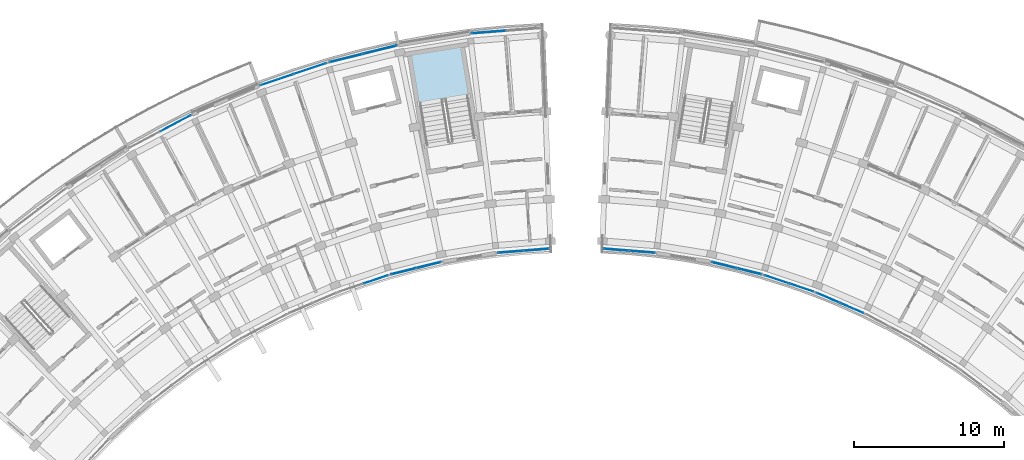
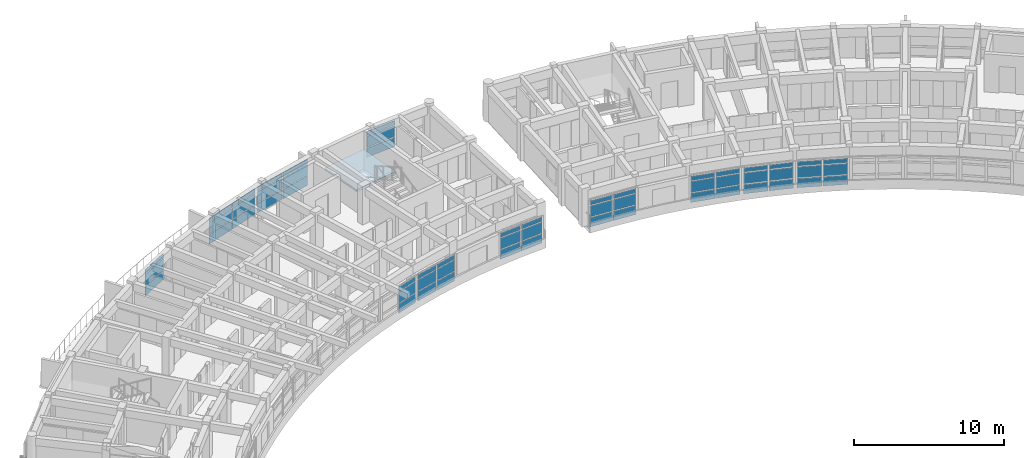
# One storey, part 24 of 50: 57 plates, 1 slab, 12 elements without a shape of their own.
"""IFC4 building model written with IfcOpenShell, lengths in metres."""

from ifc_helpers import new_model, si_unit, direction, frame, origin, origin_2d, place, context, subcontext, project, spatial, polyline, rectangle, outline, extrude, material, layer, layer_set, type_object, element, aggregate, save


model = new_model("IFC4")

# Units and contexts
model_context = context("Model", 3, precision=1e-05, world=origin(), true_north=direction((0.0, 1.0)))
body_context = subcontext(model_context, "Body", "Model", "MODEL_VIEW")
ifc_project = project(units=[si_unit("LENGTHUNIT", "METRE"), si_unit("AREAUNIT", "SQUARE_METRE"), si_unit("VOLUMEUNIT", "CUBIC_METRE"), si_unit("PLANEANGLEUNIT", "RADIAN"), si_unit("MASSUNIT", "GRAM", prefix="KILO")], contexts=[model_context])

# Site, building, storey
site_placement = place(None, origin())
site = spatial("IfcSite", under=ifc_project, at=site_placement, CompositionType="ELEMENT")
building_placement = place(site_placement, origin())
building = spatial("IfcBuilding", under=site, at=building_placement, Name="Zimvara Arc Housing Community", CompositionType="ELEMENT")
storey_placement = place(building_placement, frame((0.0, 0.0, 26.699951171875)))
storey = spatial("IfcBuildingStorey", under=building, at=storey_placement, Name="L08", CompositionType="ELEMENT", Elevation=26.699951171875)

# Curtain wall, plates
ifc_material_1 = material(Name="Anodised Aluminium AW-6063", Category="aluminium")
curtain_wall_type_1 = type_object("IfcCurtainWallType", Name="CW-SYS-08", PredefinedType="USERDEFINED", material=ifc_material_1)
curtain_wall_1_placement = place(storey_placement, origin())
curtain_wall_1 = element("IfcCurtainWall", 1, at=curtain_wall_1_placement, inside=storey, type_object=curtain_wall_type_1, Name="cw:blkA:L08:in:b7", ObjectType="CURTAIN WALL", PredefinedType="USERDEFINED")
ifc_material_2 = material(Name="Pale-Gold Anodised Aluminium Spandrel Panel", Category="aluminium")
ifc_layer_1 = layer(ifc_material_2, 0.035888671875)
ifc_layer_set_1 = layer_set([ifc_layer_1], Name="Pale-Gold Anodised Aluminium Spandrel Panel")
plate_type_1 = type_object("IfcPlateType", Name="CWP-GLD-36", PredefinedType="CURTAIN_PANEL", material=ifc_layer_set_1)
plate_1_placement = place(storey_placement, frame((33.45068359375, 87.569580078125, 0.065185546875), z_axis=(0.0, 0.0, 1.0), x_axis=(0.970716537698, 0.240227815706, 0.0)))
plate_1 = element("IfcPlate", 2, at=plate_1_placement, type_object=plate_type_1, Name="CW08 panel 1.1", PredefinedType="CURTAIN_PANEL", context=body_context, shape_type="SweptSolid", body=[
    extrude(rectangle(XDim=1.664306640625, YDim=0.035888671875, at=origin_2d()), origin(), (0.0, 0.0, 1.0), 0.75244140625),
])
plate_2_placement = place(storey_placement, frame((33.45068359375, 87.569580078125, 0.88232421875), z_axis=(0.0, 0.0, 1.0), x_axis=(0.970716537698, 0.240227815706, 0.0)))
plate_2 = element("IfcPlate", 3, at=plate_2_placement, type_object=plate_type_1, Name="CW08 panel 1.2", PredefinedType="CURTAIN_PANEL", context=body_context, shape_type="SweptSolid", body=[
    extrude(rectangle(XDim=1.664306640625, YDim=0.035888671875, at=origin_2d()), origin(), (0.0, 0.0, 1.0), 0.885009765625),
])
plate_3_placement = place(storey_placement, frame((33.45068359375, 87.569580078125, 1.83251953125), z_axis=(0.0, 0.0, 1.0), x_axis=(0.970716537698, 0.240227815706, 0.0)))
plate_3 = element("IfcPlate", 4, at=plate_3_placement, type_object=plate_type_1, Name="CW08 panel 1.3", PredefinedType="CURTAIN_PANEL", context=body_context, shape_type="SweptSolid", body=[
    extrude(rectangle(XDim=1.664306640625, YDim=0.035888671875, at=origin_2d()), origin(), (0.0, 0.0, 1.0), 0.3525390625),
])
plate_4_placement = place(storey_placement, frame((35.12939453125, 87.98486328125, 0.065185546875), z_axis=(0.0, 0.0, 1.0), x_axis=(0.970716537698, 0.240227815706, 0.0)))
plate_4 = element("IfcPlate", 5, at=plate_4_placement, type_object=plate_type_1, Name="CW08 panel 2.1", PredefinedType="CURTAIN_PANEL", context=body_context, shape_type="SweptSolid", body=[
    extrude(rectangle(XDim=1.664306640625, YDim=0.035888671875, at=origin_2d()), origin(), (0.0, 0.0, 1.0), 0.75244140625),
])
plate_5_placement = place(storey_placement, frame((35.12939453125, 87.98486328125, 0.88232421875), z_axis=(0.0, 0.0, 1.0), x_axis=(0.970716537698, 0.240227815706, 0.0)))
plate_5 = element("IfcPlate", 6, at=plate_5_placement, type_object=plate_type_1, Name="CW08 panel 2.2", PredefinedType="CURTAIN_PANEL", context=body_context, shape_type="SweptSolid", body=[
    extrude(rectangle(XDim=1.664306640625, YDim=0.035888671875, at=origin_2d()), origin(), (0.0, 0.0, 1.0), 0.885009765625),
])
plate_6_placement = place(storey_placement, frame((35.12939453125, 87.98486328125, 1.83251953125), z_axis=(0.0, 0.0, 1.0), x_axis=(0.970716537698, 0.240227815706, 0.0)))
plate_6 = element("IfcPlate", 7, at=plate_6_placement, type_object=plate_type_1, Name="CW08 panel 2.3", PredefinedType="CURTAIN_PANEL", context=body_context, shape_type="SweptSolid", body=[
    extrude(rectangle(XDim=1.664306640625, YDim=0.035888671875, at=origin_2d()), origin(), (0.0, 0.0, 1.0), 0.3525390625),
])
aggregate(curtain_wall_1, [plate_1, plate_2, plate_3, plate_4, plate_5, plate_6])

curtain_wall_2_placement = place(storey_placement, origin())
curtain_wall_2 = element("IfcCurtainWall", 8, at=curtain_wall_2_placement, inside=storey, type_object=curtain_wall_type_1, Name="cw:blkB:L08:in:b2", ObjectType="CURTAIN WALL", PredefinedType="USERDEFINED")
plate_7_placement = place(storey_placement, frame((54.87060546875, 87.98486328125, 0.065185546875), z_axis=(0.0, 0.0, 1.0), x_axis=(0.970716537698, -0.240227815706, 0.0)))
plate_7 = element("IfcPlate", 9, at=plate_7_placement, type_object=plate_type_1, Name="CW08 panel 1.1", PredefinedType="CURTAIN_PANEL", context=body_context, shape_type="SweptSolid", body=[
    extrude(rectangle(XDim=1.664306640625, YDim=0.035888671875, at=origin_2d()), origin(), (0.0, 0.0, 1.0), 0.75244140625),
])
plate_8_placement = place(storey_placement, frame((54.87060546875, 87.98486328125, 0.88232421875), z_axis=(0.0, 0.0, 1.0), x_axis=(0.970716537698, -0.240227815706, 0.0)))
plate_8 = element("IfcPlate", 10, at=plate_8_placement, type_object=plate_type_1, Name="CW08 panel 1.2", PredefinedType="CURTAIN_PANEL", context=body_context, shape_type="SweptSolid", body=[
    extrude(rectangle(XDim=1.664306640625, YDim=0.035888671875, at=origin_2d()), origin(), (0.0, 0.0, 1.0), 0.885009765625),
])
plate_9_placement = place(storey_placement, frame((54.87060546875, 87.98486328125, 1.83251953125), z_axis=(0.0, 0.0, 1.0), x_axis=(0.970716537698, -0.240227815706, 0.0)))
plate_9 = element("IfcPlate", 11, at=plate_9_placement, type_object=plate_type_1, Name="CW08 panel 1.3", PredefinedType="CURTAIN_PANEL", context=body_context, shape_type="SweptSolid", body=[
    extrude(rectangle(XDim=1.664306640625, YDim=0.035888671875, at=origin_2d()), origin(), (0.0, 0.0, 1.0), 0.3525390625),
])
plate_10_placement = place(storey_placement, frame((56.54931640625, 87.569580078125, 0.065185546875), z_axis=(0.0, 0.0, 1.0), x_axis=(0.970716537698, -0.240227815706, 0.0)))
plate_10 = element("IfcPlate", 12, at=plate_10_placement, type_object=plate_type_1, Name="CW08 panel 2.1", PredefinedType="CURTAIN_PANEL", context=body_context, shape_type="SweptSolid", body=[
    extrude(rectangle(XDim=1.664306640625, YDim=0.035888671875, at=origin_2d()), origin(), (0.0, 0.0, 1.0), 0.75244140625),
])
plate_11_placement = place(storey_placement, frame((56.54931640625, 87.569580078125, 0.88232421875), z_axis=(0.0, 0.0, 1.0), x_axis=(0.970716537698, -0.240227815706, 0.0)))
plate_11 = element("IfcPlate", 13, at=plate_11_placement, type_object=plate_type_1, Name="CW08 panel 2.2", PredefinedType="CURTAIN_PANEL", context=body_context, shape_type="SweptSolid", body=[
    extrude(rectangle(XDim=1.664306640625, YDim=0.035888671875, at=origin_2d()), origin(), (0.0, 0.0, 1.0), 0.885009765625),
])
plate_12_placement = place(storey_placement, frame((56.54931640625, 87.569580078125, 1.83251953125), z_axis=(0.0, 0.0, 1.0), x_axis=(0.970716537698, -0.240227815706, 0.0)))
plate_12 = element("IfcPlate", 14, at=plate_12_placement, type_object=plate_type_1, Name="CW08 panel 2.3", PredefinedType="CURTAIN_PANEL", context=body_context, shape_type="SweptSolid", body=[
    extrude(rectangle(XDim=1.664306640625, YDim=0.035888671875, at=origin_2d()), origin(), (0.0, 0.0, 1.0), 0.3525390625),
])
aggregate(curtain_wall_2, [plate_7, plate_8, plate_9, plate_10, plate_11, plate_12])

ifc_material_3 = material(Name="Anodised Aluminium AW-6063", Category="aluminium")
curtain_wall_type_2 = type_object("IfcCurtainWallType", Name="CW-SYS-05", PredefinedType="USERDEFINED", material=ifc_material_3)
curtain_wall_3_placement = place(storey_placement, origin())
curtain_wall_3 = element("IfcCurtainWall", 15, at=curtain_wall_3_placement, inside=storey, type_object=curtain_wall_type_2, Name="cw:blkA:L08:out:b6", ObjectType="CURTAIN WALL", PredefinedType="USERDEFINED")
ifc_material_4 = material(Name="Solar Control Low-E Double Glazing", Category="glass")
ifc_layer_2 = layer(ifc_material_4, 0.02392578125)
ifc_layer_set_2 = layer_set([ifc_layer_2], Name="Solar Control Low-E Double Glazing")
plate_type_2 = type_object("IfcPlateType", Name="CWP-GLZ-24", PredefinedType="CURTAIN_PANEL", material=ifc_layer_set_2)
plate_13_placement = place(storey_placement, frame((24.990478515625, 100.36669921875, 0.065185546875), z_axis=(0.0, 0.0, 1.0), x_axis=(0.947879647164, 0.318628583921, 0.0)))
plate_13 = element("IfcPlate", 16, at=plate_13_placement, type_object=plate_type_2, Name="CW05 panel 1.1", PredefinedType="CURTAIN_PANEL", context=body_context, shape_type="SweptSolid", body=[
    extrude(rectangle(XDim=2.266845703125, YDim=0.02392578125, at=origin_2d()), origin(), (0.0, 0.0, 1.0), 0.75244140625),
])
plate_14_placement = place(storey_placement, frame((24.990478515625, 100.36669921875, 0.88232421875), z_axis=(0.0, 0.0, 1.0), x_axis=(0.947879647164, 0.318628583921, 0.0)))
plate_14 = element("IfcPlate", 17, at=plate_14_placement, type_object=plate_type_2, Name="CW05 panel 1.2", PredefinedType="CURTAIN_PANEL", context=body_context, shape_type="SweptSolid", body=[
    extrude(rectangle(XDim=2.266845703125, YDim=0.02392578125, at=origin_2d()), origin(), (0.0, 0.0, 1.0), 0.885009765625),
])
plate_15_placement = place(storey_placement, frame((24.990478515625, 100.36669921875, 1.83251953125), z_axis=(0.0, 0.0, 1.0), x_axis=(0.947879647164, 0.318628583921, 0.0)))
plate_15 = element("IfcPlate", 18, at=plate_15_placement, type_object=plate_type_2, Name="CW05 panel 1.3", PredefinedType="CURTAIN_PANEL", context=body_context, shape_type="SweptSolid", body=[
    extrude(rectangle(XDim=2.266845703125, YDim=0.02392578125, at=origin_2d()), origin(), (0.0, 0.0, 1.0), 0.3525390625),
])
plate_16_placement = place(storey_placement, frame((27.200927734375, 101.109619140625, 0.065185546875), z_axis=(0.0, 0.0, 1.0), x_axis=(0.947879647164, 0.318628583921, 0.0)))
plate_16 = element("IfcPlate", 19, at=plate_16_placement, type_object=plate_type_2, Name="CW05 panel 2.1", PredefinedType="CURTAIN_PANEL", context=body_context, shape_type="SweptSolid", body=[
    extrude(rectangle(XDim=2.266845703125, YDim=0.02392578125, at=origin_2d()), origin(), (0.0, 0.0, 1.0), 0.75244140625),
])
plate_17_placement = place(storey_placement, frame((27.200927734375, 101.109619140625, 0.88232421875), z_axis=(0.0, 0.0, 1.0), x_axis=(0.947879647164, 0.318628583921, 0.0)))
plate_17 = element("IfcPlate", 20, at=plate_17_placement, type_object=plate_type_2, Name="CW05 panel 2.2", PredefinedType="CURTAIN_PANEL", context=body_context, shape_type="SweptSolid", body=[
    extrude(rectangle(XDim=2.266845703125, YDim=0.02392578125, at=origin_2d()), origin(), (0.0, 0.0, 1.0), 0.885009765625),
])
plate_18_placement = place(storey_placement, frame((27.200927734375, 101.109619140625, 1.83251953125), z_axis=(0.0, 0.0, 1.0), x_axis=(0.947879647164, 0.318628583921, 0.0)))
plate_18 = element("IfcPlate", 21, at=plate_18_placement, type_object=plate_type_2, Name="CW05 panel 2.3", PredefinedType="CURTAIN_PANEL", context=body_context, shape_type="SweptSolid", body=[
    extrude(rectangle(XDim=2.266845703125, YDim=0.02392578125, at=origin_2d()), origin(), (0.0, 0.0, 1.0), 0.3525390625),
])
aggregate(curtain_wall_3, [plate_13, plate_14, plate_15, plate_16, plate_17, plate_18])

ifc_material_5 = material(Name="Anodised Aluminium AW-6063", Category="aluminium")
curtain_wall_type_3 = type_object("IfcCurtainWallType", Name="CW-SYS-01", PredefinedType="USERDEFINED", material=ifc_material_5)
curtain_wall_4_placement = place(storey_placement, origin())
curtain_wall_4 = element("IfcCurtainWall", 22, at=curtain_wall_4_placement, inside=storey, type_object=curtain_wall_type_3, Name="cw:blkA:L08:out:b9", ObjectType="CURTAIN WALL", PredefinedType="USERDEFINED")
plate_19_placement = place(storey_placement, frame((39.141357421875, 103.552001953125, 0.065185546875), z_axis=(0.0, 0.0, 1.0), x_axis=(0.996862418963, 0.079153759607, 0.0)))
plate_19 = element("IfcPlate", 23, at=plate_19_placement, type_object=plate_type_2, Name="CW01 panel 1.1", PredefinedType="CURTAIN_PANEL", context=body_context, shape_type="SweptSolid", body=[
    extrude(rectangle(XDim=2.266845703125, YDim=0.02392578125, at=origin_2d()), origin(), (0.0, 0.0, 1.0), 0.75244140625),
])
plate_20_placement = place(storey_placement, frame((39.141357421875, 103.552001953125, 0.88232421875), z_axis=(0.0, 0.0, 1.0), x_axis=(0.996862418963, 0.079153759607, 0.0)))
plate_20 = element("IfcPlate", 24, at=plate_20_placement, type_object=plate_type_2, Name="CW01 panel 1.2", PredefinedType="CURTAIN_PANEL", context=body_context, shape_type="SweptSolid", body=[
    extrude(rectangle(XDim=2.266845703125, YDim=0.02392578125, at=origin_2d()), origin(), (0.0, 0.0, 1.0), 0.885009765625),
])
plate_21_placement = place(storey_placement, frame((39.141357421875, 103.552001953125, 1.83251953125), z_axis=(0.0, 0.0, 1.0), x_axis=(0.996862418963, 0.079153759607, 0.0)))
plate_21 = element("IfcPlate", 25, at=plate_21_placement, type_object=plate_type_2, Name="CW01 panel 1.3", PredefinedType="CURTAIN_PANEL", context=body_context, shape_type="SweptSolid", body=[
    extrude(rectangle(XDim=2.266845703125, YDim=0.02392578125, at=origin_2d()), origin(), (0.0, 0.0, 1.0), 0.3525390625),
])
aggregate(curtain_wall_4, [plate_19, plate_20, plate_21])

curtain_wall_5_placement = place(storey_placement, origin())
curtain_wall_5 = element("IfcCurtainWall", 26, at=curtain_wall_5_placement, inside=storey, type_object=curtain_wall_type_3, Name="cw:blkB:L08:in:b3", ObjectType="CURTAIN WALL", PredefinedType="USERDEFINED")
plate_22_placement = place(storey_placement, frame((58.3857421875, 87.03466796875, 0.065185546875), z_axis=(0.0, 0.0, 1.0), x_axis=(0.94787908732, -0.318630249383, 0.0)))
plate_22 = element("IfcPlate", 27, at=plate_22_placement, type_object=plate_type_2, Name="CW01 panel 1.1", PredefinedType="CURTAIN_PANEL", context=body_context, shape_type="SweptSolid", body=[
    extrude(rectangle(XDim=1.664306640625, YDim=0.02392578125, at=origin_2d()), origin(), (0.0, 0.0, 1.0), 0.75244140625),
])
plate_23_placement = place(storey_placement, frame((58.3857421875, 87.03466796875, 0.88232421875), z_axis=(0.0, 0.0, 1.0), x_axis=(0.94787908732, -0.318630249383, 0.0)))
plate_23 = element("IfcPlate", 28, at=plate_23_placement, type_object=plate_type_2, Name="CW01 panel 1.2", PredefinedType="CURTAIN_PANEL", context=body_context, shape_type="SweptSolid", body=[
    extrude(rectangle(XDim=1.664306640625, YDim=0.02392578125, at=origin_2d()), origin(), (0.0, 0.0, 1.0), 0.885009765625),
])
plate_24_placement = place(storey_placement, frame((58.3857421875, 87.03466796875, 1.83251953125), z_axis=(0.0, 0.0, 1.0), x_axis=(0.94787908732, -0.318630249383, 0.0)))
plate_24 = element("IfcPlate", 29, at=plate_24_placement, type_object=plate_type_2, Name="CW01 panel 1.3", PredefinedType="CURTAIN_PANEL", context=body_context, shape_type="SweptSolid", body=[
    extrude(rectangle(XDim=1.664306640625, YDim=0.02392578125, at=origin_2d()), origin(), (0.0, 0.0, 1.0), 0.3525390625),
])
plate_25_placement = place(storey_placement, frame((60.02490234375, 86.483642578125, 0.065185546875), z_axis=(0.0, 0.0, 1.0), x_axis=(0.94787908732, -0.318630249383, 0.0)))
plate_25 = element("IfcPlate", 30, at=plate_25_placement, type_object=plate_type_2, Name="CW01 panel 2.1", PredefinedType="CURTAIN_PANEL", context=body_context, shape_type="SweptSolid", body=[
    extrude(rectangle(XDim=1.664306640625, YDim=0.02392578125, at=origin_2d()), origin(), (0.0, 0.0, 1.0), 0.75244140625),
])
plate_26_placement = place(storey_placement, frame((60.02490234375, 86.483642578125, 0.88232421875), z_axis=(0.0, 0.0, 1.0), x_axis=(0.94787908732, -0.318630249383, 0.0)))
plate_26 = element("IfcPlate", 31, at=plate_26_placement, type_object=plate_type_2, Name="CW01 panel 2.2", PredefinedType="CURTAIN_PANEL", context=body_context, shape_type="SweptSolid", body=[
    extrude(rectangle(XDim=1.664306640625, YDim=0.02392578125, at=origin_2d()), origin(), (0.0, 0.0, 1.0), 0.885009765625),
])
plate_27_placement = place(storey_placement, frame((60.02490234375, 86.483642578125, 1.83251953125), z_axis=(0.0, 0.0, 1.0), x_axis=(0.94787908732, -0.318630249383, 0.0)))
plate_27 = element("IfcPlate", 32, at=plate_27_placement, type_object=plate_type_2, Name="CW01 panel 2.3", PredefinedType="CURTAIN_PANEL", context=body_context, shape_type="SweptSolid", body=[
    extrude(rectangle(XDim=1.664306640625, YDim=0.02392578125, at=origin_2d()), origin(), (0.0, 0.0, 1.0), 0.3525390625),
])
aggregate(curtain_wall_5, [plate_22, plate_23, plate_24, plate_25, plate_26, plate_27])

ifc_material_6 = material(Name="Anodised Aluminium AW-6063", Category="aluminium")
curtain_wall_type_4 = type_object("IfcCurtainWallType", Name="CW-SYS-02", PredefinedType="USERDEFINED", material=ifc_material_6)
curtain_wall_6_placement = place(storey_placement, origin())
curtain_wall_6 = element("IfcCurtainWall", 33, at=curtain_wall_6_placement, inside=storey, type_object=curtain_wall_type_4, Name="cw:blkA:L08:out:b4", ObjectType="CURTAIN WALL", PredefinedType="USERDEFINED")
ifc_material_7 = material(Name="Solar Control Low-E Double Glazing", Category="glass")
ifc_layer_3 = layer(ifc_material_7, 0.028076171875)
ifc_layer_set_3 = layer_set([ifc_layer_3], Name="Solar Control Low-E Double Glazing")
plate_type_3 = type_object("IfcPlateType", Name="CWP-GLZ-28", PredefinedType="CURTAIN_PANEL", material=ifc_layer_set_3)
plate_28_placement = place(storey_placement, frame((18.23095703125, 97.461181640625, 0.065185546875), z_axis=(0.0, 0.0, 1.0), x_axis=(0.883438614651, 0.468546917761, 0.0)))
plate_28 = element("IfcPlate", 34, at=plate_28_placement, type_object=plate_type_3, Name="CW02 panel 2.1", PredefinedType="CURTAIN_PANEL", context=body_context, shape_type="SweptSolid", body=[
    extrude(rectangle(XDim=2.266845703125, YDim=0.028076171875, at=origin_2d()), origin(), (0.0, 0.0, 1.0), 0.75244140625),
])
plate_29_placement = place(storey_placement, frame((18.23095703125, 97.461181640625, 0.88232421875), z_axis=(0.0, 0.0, 1.0), x_axis=(0.883438614651, 0.468546917761, 0.0)))
plate_29 = element("IfcPlate", 35, at=plate_29_placement, type_object=plate_type_3, Name="CW02 panel 2.2", PredefinedType="CURTAIN_PANEL", context=body_context, shape_type="SweptSolid", body=[
    extrude(rectangle(XDim=2.266845703125, YDim=0.028076171875, at=origin_2d()), origin(), (0.0, 0.0, 1.0), 0.885009765625),
])
plate_30_placement = place(storey_placement, frame((18.23095703125, 97.461181640625, 1.83251953125), z_axis=(0.0, 0.0, 1.0), x_axis=(0.883438614651, 0.468546917761, 0.0)))
plate_30 = element("IfcPlate", 36, at=plate_30_placement, type_object=plate_type_3, Name="CW02 panel 2.3", PredefinedType="CURTAIN_PANEL", context=body_context, shape_type="SweptSolid", body=[
    extrude(rectangle(XDim=2.266845703125, YDim=0.028076171875, at=origin_2d()), origin(), (0.0, 0.0, 1.0), 0.3525390625),
])
aggregate(curtain_wall_6, [plate_28, plate_29, plate_30])

ifc_material_8 = material(Name="Anodised Aluminium AW-6063", Category="aluminium")
curtain_wall_type_5 = type_object("IfcCurtainWallType", Name="CW-SYS-06", PredefinedType="USERDEFINED", material=ifc_material_8)
curtain_wall_7_placement = place(storey_placement, origin())
curtain_wall_7 = element("IfcCurtainWall", 37, at=curtain_wall_7_placement, inside=storey, type_object=curtain_wall_type_5, Name="cw:blkA:L08:in:b6", ObjectType="CURTAIN WALL", PredefinedType="USERDEFINED")
plate_31_placement = place(storey_placement, frame((31.6142578125, 87.03466796875, 0.065185546875), z_axis=(0.0, 0.0, 1.0), x_axis=(0.94787908732, 0.318630249383, 0.0)))
plate_31 = element("IfcPlate", 38, at=plate_31_placement, type_object=plate_type_3, Name="CW06 panel 2.1", PredefinedType="CURTAIN_PANEL", context=body_context, shape_type="SweptSolid", body=[
    extrude(rectangle(XDim=1.664306640625, YDim=0.028076171875, at=origin_2d()), origin(), (0.0, 0.0, 1.0), 0.75244140625),
])
plate_32_placement = place(storey_placement, frame((31.6142578125, 87.03466796875, 0.88232421875), z_axis=(0.0, 0.0, 1.0), x_axis=(0.94787908732, 0.318630249383, 0.0)))
plate_32 = element("IfcPlate", 39, at=plate_32_placement, type_object=plate_type_3, Name="CW06 panel 2.2", PredefinedType="CURTAIN_PANEL", context=body_context, shape_type="SweptSolid", body=[
    extrude(rectangle(XDim=1.664306640625, YDim=0.028076171875, at=origin_2d()), origin(), (0.0, 0.0, 1.0), 0.885009765625),
])
plate_33_placement = place(storey_placement, frame((31.6142578125, 87.03466796875, 1.83251953125), z_axis=(0.0, 0.0, 1.0), x_axis=(0.94787908732, 0.318630249383, 0.0)))
plate_33 = element("IfcPlate", 40, at=plate_33_placement, type_object=plate_type_3, Name="CW06 panel 2.3", PredefinedType="CURTAIN_PANEL", context=body_context, shape_type="SweptSolid", body=[
    extrude(rectangle(XDim=1.664306640625, YDim=0.028076171875, at=origin_2d()), origin(), (0.0, 0.0, 1.0), 0.3525390625),
])
aggregate(curtain_wall_7, [plate_31, plate_32, plate_33])

curtain_wall_8_placement = place(storey_placement, origin())
curtain_wall_8 = element("IfcCurtainWall", 41, at=curtain_wall_8_placement, inside=storey, type_object=curtain_wall_type_4, Name="cw:blkA:L08:in:b9", ObjectType="CURTAIN WALL", PredefinedType="USERDEFINED")
plate_34_placement = place(storey_placement, frame((40.609130859375, 88.87451171875, 0.065185546875), z_axis=(0.0, 0.0, 1.0), x_axis=(0.996862343506, 0.079154709897, 0.0)))
plate_34 = element("IfcPlate", 42, at=plate_34_placement, type_object=plate_type_3, Name="CW02 panel 1.1", PredefinedType="CURTAIN_PANEL", context=body_context, shape_type="SweptSolid", body=[
    extrude(rectangle(XDim=1.664306640625, YDim=0.028076171875, at=origin_2d()), origin(), (0.0, 0.0, 1.0), 0.75244140625),
])
plate_35_placement = place(storey_placement, frame((40.609130859375, 88.87451171875, 0.88232421875), z_axis=(0.0, 0.0, 1.0), x_axis=(0.996862343506, 0.079154709897, 0.0)))
plate_35 = element("IfcPlate", 43, at=plate_35_placement, type_object=plate_type_3, Name="CW02 panel 1.2", PredefinedType="CURTAIN_PANEL", context=body_context, shape_type="SweptSolid", body=[
    extrude(rectangle(XDim=1.664306640625, YDim=0.028076171875, at=origin_2d()), origin(), (0.0, 0.0, 1.0), 0.885009765625),
])
plate_36_placement = place(storey_placement, frame((40.609130859375, 88.87451171875, 1.83251953125), z_axis=(0.0, 0.0, 1.0), x_axis=(0.996862343506, 0.079154709897, 0.0)))
plate_36 = element("IfcPlate", 44, at=plate_36_placement, type_object=plate_type_3, Name="CW02 panel 1.3", PredefinedType="CURTAIN_PANEL", context=body_context, shape_type="SweptSolid", body=[
    extrude(rectangle(XDim=1.664306640625, YDim=0.028076171875, at=origin_2d()), origin(), (0.0, 0.0, 1.0), 0.3525390625),
])
plate_37_placement = place(storey_placement, frame((42.3330078125, 89.01123046875, 0.065185546875), z_axis=(0.0, 0.0, 1.0), x_axis=(0.996862343506, 0.079154709897, 0.0)))
plate_37 = element("IfcPlate", 45, at=plate_37_placement, type_object=plate_type_3, Name="CW02 panel 2.1", PredefinedType="CURTAIN_PANEL", context=body_context, shape_type="SweptSolid", body=[
    extrude(rectangle(XDim=1.664306640625, YDim=0.028076171875, at=origin_2d()), origin(), (0.0, 0.0, 1.0), 0.75244140625),
])
plate_38_placement = place(storey_placement, frame((42.3330078125, 89.01123046875, 0.88232421875), z_axis=(0.0, 0.0, 1.0), x_axis=(0.996862343506, 0.079154709897, 0.0)))
plate_38 = element("IfcPlate", 46, at=plate_38_placement, type_object=plate_type_3, Name="CW02 panel 2.2", PredefinedType="CURTAIN_PANEL", context=body_context, shape_type="SweptSolid", body=[
    extrude(rectangle(XDim=1.664306640625, YDim=0.028076171875, at=origin_2d()), origin(), (0.0, 0.0, 1.0), 0.885009765625),
])
plate_39_placement = place(storey_placement, frame((42.3330078125, 89.01123046875, 1.83251953125), z_axis=(0.0, 0.0, 1.0), x_axis=(0.996862343506, 0.079154709897, 0.0)))
plate_39 = element("IfcPlate", 47, at=plate_39_placement, type_object=plate_type_3, Name="CW02 panel 2.3", PredefinedType="CURTAIN_PANEL", context=body_context, shape_type="SweptSolid", body=[
    extrude(rectangle(XDim=1.664306640625, YDim=0.028076171875, at=origin_2d()), origin(), (0.0, 0.0, 1.0), 0.3525390625),
])
aggregate(curtain_wall_8, [plate_34, plate_35, plate_36, plate_37, plate_38, plate_39])

curtain_wall_9_placement = place(storey_placement, origin())
curtain_wall_9 = element("IfcCurtainWall", 48, at=curtain_wall_9_placement, inside=storey, type_object=curtain_wall_type_5, Name="cw:blkB:L08:in:b0", ObjectType="CURTAIN WALL", PredefinedType="USERDEFINED")
plate_40_placement = place(storey_placement, frame((47.6669921875, 89.01123046875, 0.065185546875), z_axis=(0.0, 0.0, 1.0), x_axis=(0.996862343506, -0.079154709897, 0.0)))
plate_40 = element("IfcPlate", 49, at=plate_40_placement, type_object=plate_type_3, Name="CW06 panel 1.1", PredefinedType="CURTAIN_PANEL", context=body_context, shape_type="SweptSolid", body=[
    extrude(rectangle(XDim=1.664306640625, YDim=0.028076171875, at=origin_2d()), origin(), (0.0, 0.0, 1.0), 0.75244140625),
])
plate_41_placement = place(storey_placement, frame((47.6669921875, 89.01123046875, 0.88232421875), z_axis=(0.0, 0.0, 1.0), x_axis=(0.996862343506, -0.079154709897, 0.0)))
plate_41 = element("IfcPlate", 50, at=plate_41_placement, type_object=plate_type_3, Name="CW06 panel 1.2", PredefinedType="CURTAIN_PANEL", context=body_context, shape_type="SweptSolid", body=[
    extrude(rectangle(XDim=1.664306640625, YDim=0.028076171875, at=origin_2d()), origin(), (0.0, 0.0, 1.0), 0.885009765625),
])
plate_42_placement = place(storey_placement, frame((47.6669921875, 89.01123046875, 1.83251953125), z_axis=(0.0, 0.0, 1.0), x_axis=(0.996862343506, -0.079154709897, 0.0)))
plate_42 = element("IfcPlate", 51, at=plate_42_placement, type_object=plate_type_3, Name="CW06 panel 1.3", PredefinedType="CURTAIN_PANEL", context=body_context, shape_type="SweptSolid", body=[
    extrude(rectangle(XDim=1.664306640625, YDim=0.028076171875, at=origin_2d()), origin(), (0.0, 0.0, 1.0), 0.3525390625),
])
plate_43_placement = place(storey_placement, frame((49.390869140625, 88.87451171875, 0.065185546875), z_axis=(0.0, 0.0, 1.0), x_axis=(0.996862343506, -0.079154709897, 0.0)))
plate_43 = element("IfcPlate", 52, at=plate_43_placement, type_object=plate_type_3, Name="CW06 panel 2.1", PredefinedType="CURTAIN_PANEL", context=body_context, shape_type="SweptSolid", body=[
    extrude(rectangle(XDim=1.664306640625, YDim=0.028076171875, at=origin_2d()), origin(), (0.0, 0.0, 1.0), 0.75244140625),
])
plate_44_placement = place(storey_placement, frame((49.390869140625, 88.87451171875, 0.88232421875), z_axis=(0.0, 0.0, 1.0), x_axis=(0.996862343506, -0.079154709897, 0.0)))
plate_44 = element("IfcPlate", 53, at=plate_44_placement, type_object=plate_type_3, Name="CW06 panel 2.2", PredefinedType="CURTAIN_PANEL", context=body_context, shape_type="SweptSolid", body=[
    extrude(rectangle(XDim=1.664306640625, YDim=0.028076171875, at=origin_2d()), origin(), (0.0, 0.0, 1.0), 0.885009765625),
])
plate_45_placement = place(storey_placement, frame((49.390869140625, 88.87451171875, 1.83251953125), z_axis=(0.0, 0.0, 1.0), x_axis=(0.996862343506, -0.079154709897, 0.0)))
plate_45 = element("IfcPlate", 54, at=plate_45_placement, type_object=plate_type_3, Name="CW06 panel 2.3", PredefinedType="CURTAIN_PANEL", context=body_context, shape_type="SweptSolid", body=[
    extrude(rectangle(XDim=1.664306640625, YDim=0.028076171875, at=origin_2d()), origin(), (0.0, 0.0, 1.0), 0.3525390625),
])
aggregate(curtain_wall_9, [plate_40, plate_41, plate_42, plate_43, plate_44, plate_45])

ifc_material_9 = material(Name="Anodised Aluminium AW-6063", Category="aluminium")
curtain_wall_type_6 = type_object("IfcCurtainWallType", Name="CW-SYS-07", PredefinedType="USERDEFINED", material=ifc_material_9)
curtain_wall_10_placement = place(storey_placement, origin())
curtain_wall_10 = element("IfcCurtainWall", 55, at=curtain_wall_10_placement, inside=storey, type_object=curtain_wall_type_6, Name="cw:blkA:L08:out:b7", ObjectType="CURTAIN WALL", PredefinedType="USERDEFINED")
ifc_material_10 = material(Name="Acoustic Laminated Solar Glazing", Category="glass")
ifc_layer_4 = layer(ifc_material_10, 0.031982421875)
ifc_layer_set_4 = layer_set([ifc_layer_4], Name="Acoustic Laminated Solar Glazing")
plate_type_4 = type_object("IfcPlateType", Name="CWP-GLZ-32", PredefinedType="CURTAIN_PANEL", material=ifc_layer_set_4)
plate_46_placement = place(storey_placement, frame((29.615234375, 101.81298828125, 0.065185546875), z_axis=(0.0, 0.0, 1.0), x_axis=(0.970716068627, 0.240229711131, 0.0)))
plate_46 = element("IfcPlate", 56, at=plate_46_placement, type_object=plate_type_4, Name="CW07 panel 1.1", PredefinedType="CURTAIN_PANEL", context=body_context, shape_type="SweptSolid", body=[
    extrude(rectangle(XDim=2.266845703125, YDim=0.031982421875, at=origin_2d()), origin(), (0.0, 0.0, 1.0), 0.75244140625),
])
plate_47_placement = place(storey_placement, frame((29.615234375, 101.81298828125, 0.88232421875), z_axis=(0.0, 0.0, 1.0), x_axis=(0.970716068627, 0.240229711131, 0.0)))
plate_47 = element("IfcPlate", 57, at=plate_47_placement, type_object=plate_type_4, Name="CW07 panel 1.2", PredefinedType="CURTAIN_PANEL", context=body_context, shape_type="SweptSolid", body=[
    extrude(rectangle(XDim=2.266845703125, YDim=0.031982421875, at=origin_2d()), origin(), (0.0, 0.0, 1.0), 0.885009765625),
])
plate_48_placement = place(storey_placement, frame((29.615234375, 101.81298828125, 1.83251953125), z_axis=(0.0, 0.0, 1.0), x_axis=(0.970716068627, 0.240229711131, 0.0)))
plate_48 = element("IfcPlate", 58, at=plate_48_placement, type_object=plate_type_4, Name="CW07 panel 1.3", PredefinedType="CURTAIN_PANEL", context=body_context, shape_type="SweptSolid", body=[
    extrude(rectangle(XDim=2.266845703125, YDim=0.031982421875, at=origin_2d()), origin(), (0.0, 0.0, 1.0), 0.3525390625),
])
plate_49_placement = place(storey_placement, frame((31.87890625, 102.373291015625, 0.065185546875), z_axis=(0.0, 0.0, 1.0), x_axis=(0.970716068627, 0.240229711131, 0.0)))
plate_49 = element("IfcPlate", 59, at=plate_49_placement, type_object=plate_type_4, Name="CW07 panel 2.1", PredefinedType="CURTAIN_PANEL", context=body_context, shape_type="SweptSolid", body=[
    extrude(rectangle(XDim=2.266845703125, YDim=0.031982421875, at=origin_2d()), origin(), (0.0, 0.0, 1.0), 0.75244140625),
])
plate_50_placement = place(storey_placement, frame((31.87890625, 102.373291015625, 0.88232421875), z_axis=(0.0, 0.0, 1.0), x_axis=(0.970716068627, 0.240229711131, 0.0)))
plate_50 = element("IfcPlate", 60, at=plate_50_placement, type_object=plate_type_4, Name="CW07 panel 2.2", PredefinedType="CURTAIN_PANEL", context=body_context, shape_type="SweptSolid", body=[
    extrude(rectangle(XDim=2.266845703125, YDim=0.031982421875, at=origin_2d()), origin(), (0.0, 0.0, 1.0), 0.885009765625),
])
plate_51_placement = place(storey_placement, frame((31.87890625, 102.373291015625, 1.83251953125), z_axis=(0.0, 0.0, 1.0), x_axis=(0.970716068627, 0.240229711131, 0.0)))
plate_51 = element("IfcPlate", 61, at=plate_51_placement, type_object=plate_type_4, Name="CW07 panel 2.3", PredefinedType="CURTAIN_PANEL", context=body_context, shape_type="SweptSolid", body=[
    extrude(rectangle(XDim=2.266845703125, YDim=0.031982421875, at=origin_2d()), origin(), (0.0, 0.0, 1.0), 0.3525390625),
])
aggregate(curtain_wall_10, [plate_46, plate_47, plate_48, plate_49, plate_50, plate_51])

ifc_material_11 = material(Name="Anodised Aluminium AW-6063", Category="aluminium")
curtain_wall_type_7 = type_object("IfcCurtainWallType", Name="CW-SYS-03", PredefinedType="USERDEFINED", material=ifc_material_11)
curtain_wall_11_placement = place(storey_placement, origin())
curtain_wall_11 = element("IfcCurtainWall", 62, at=curtain_wall_11_placement, inside=storey, type_object=curtain_wall_type_7, Name="cw:blkB:L08:in:b4", ObjectType="CURTAIN WALL", PredefinedType="USERDEFINED")
plate_52_placement = place(storey_placement, frame((61.8115234375, 85.80078125, 0.065185546875), z_axis=(0.0, 0.0, 1.0), x_axis=(0.918722178415, -0.394904493375, 0.0)))
plate_52 = element("IfcPlate", 63, at=plate_52_placement, type_object=plate_type_4, Name="CW03 panel 1.1", PredefinedType="CURTAIN_PANEL", context=body_context, shape_type="SweptSolid", body=[
    extrude(rectangle(XDim=1.664306640625, YDim=0.031982421875, at=origin_2d()), origin(), (0.0, 0.0, 1.0), 0.75244140625),
])
plate_53_placement = place(storey_placement, frame((61.8115234375, 85.80078125, 0.88232421875), z_axis=(0.0, 0.0, 1.0), x_axis=(0.918722178415, -0.394904493375, 0.0)))
plate_53 = element("IfcPlate", 64, at=plate_53_placement, type_object=plate_type_4, Name="CW03 panel 1.2", PredefinedType="CURTAIN_PANEL", context=body_context, shape_type="SweptSolid", body=[
    extrude(rectangle(XDim=1.664306640625, YDim=0.031982421875, at=origin_2d()), origin(), (0.0, 0.0, 1.0), 0.885009765625),
])
plate_54_placement = place(storey_placement, frame((61.8115234375, 85.80078125, 1.83251953125), z_axis=(0.0, 0.0, 1.0), x_axis=(0.918722178415, -0.394904493375, 0.0)))
plate_54 = element("IfcPlate", 65, at=plate_54_placement, type_object=plate_type_4, Name="CW03 panel 1.3", PredefinedType="CURTAIN_PANEL", context=body_context, shape_type="SweptSolid", body=[
    extrude(rectangle(XDim=1.664306640625, YDim=0.031982421875, at=origin_2d()), origin(), (0.0, 0.0, 1.0), 0.3525390625),
])
plate_55_placement = place(storey_placement, frame((63.400390625, 85.11767578125, 0.065185546875), z_axis=(0.0, 0.0, 1.0), x_axis=(0.918722178415, -0.394904493375, 0.0)))
plate_55 = element("IfcPlate", 66, at=plate_55_placement, type_object=plate_type_4, Name="CW03 panel 2.1", PredefinedType="CURTAIN_PANEL", context=body_context, shape_type="SweptSolid", body=[
    extrude(rectangle(XDim=1.664306640625, YDim=0.031982421875, at=origin_2d()), origin(), (0.0, 0.0, 1.0), 0.75244140625),
])
plate_56_placement = place(storey_placement, frame((63.400390625, 85.11767578125, 0.88232421875), z_axis=(0.0, 0.0, 1.0), x_axis=(0.918722178415, -0.394904493375, 0.0)))
plate_56 = element("IfcPlate", 67, at=plate_56_placement, type_object=plate_type_4, Name="CW03 panel 2.2", PredefinedType="CURTAIN_PANEL", context=body_context, shape_type="SweptSolid", body=[
    extrude(rectangle(XDim=1.664306640625, YDim=0.031982421875, at=origin_2d()), origin(), (0.0, 0.0, 1.0), 0.885009765625),
])
plate_57_placement = place(storey_placement, frame((63.400390625, 85.11767578125, 1.83251953125), z_axis=(0.0, 0.0, 1.0), x_axis=(0.918722178415, -0.394904493375, 0.0)))
plate_57 = element("IfcPlate", 68, at=plate_57_placement, type_object=plate_type_4, Name="CW03 panel 2.3", PredefinedType="CURTAIN_PANEL", context=body_context, shape_type="SweptSolid", body=[
    extrude(rectangle(XDim=1.664306640625, YDim=0.031982421875, at=origin_2d()), origin(), (0.0, 0.0, 1.0), 0.3525390625),
])
aggregate(curtain_wall_11, [plate_52, plate_53, plate_54, plate_55, plate_56, plate_57])

# Stair, slab
ifc_material_12 = material(Name="Concrete C35/45", Category="concrete")
stair_type = type_object("IfcStairType", Name="STR-DL-315-310", PredefinedType="HALF_TURN_STAIR", material=ifc_material_12)
stair_placement = place(storey_placement, origin())
stair = element("IfcStair", 69, at=stair_placement, inside=storey, type_object=stair_type, Name="L08 Block A Exit Stair 2", PredefinedType="HALF_TURN_STAIR")
ifc_material_13 = material(Name="Concrete C35/45", Category="concrete")
ifc_layer_5 = layer(ifc_material_13, 0.199951171875)
ifc_layer_set_5 = layer_set([ifc_layer_5], Name="Concrete C35/45")
slab_type = type_object("IfcSlabType", Name="SLB-STAIR-LND-200", PredefinedType="LANDING", material=ifc_layer_set_5)
slab_placement = place(storey_placement, frame((0.0, 0.0, 1.35009765625)))
slab = element("IfcSlab", 70, at=slab_placement, type_object=slab_type, Name="ST-A2 landing 1", PredefinedType="LANDING", context=body_context, shape_type="SweptSolid", body=[
    extrude(outline(polyline([(37.814697265625, 99.2509765625), (37.278564453125, 102.552978515625), (33.962158203125, 102.014404296875), (34.498046875, 98.712646484375), (37.814697265625, 99.2509765625)])), origin(), (0.0, 0.0, 1.0), 0.199951171875),
])
aggregate(stair, [slab])

save(model, "model.ifc")
